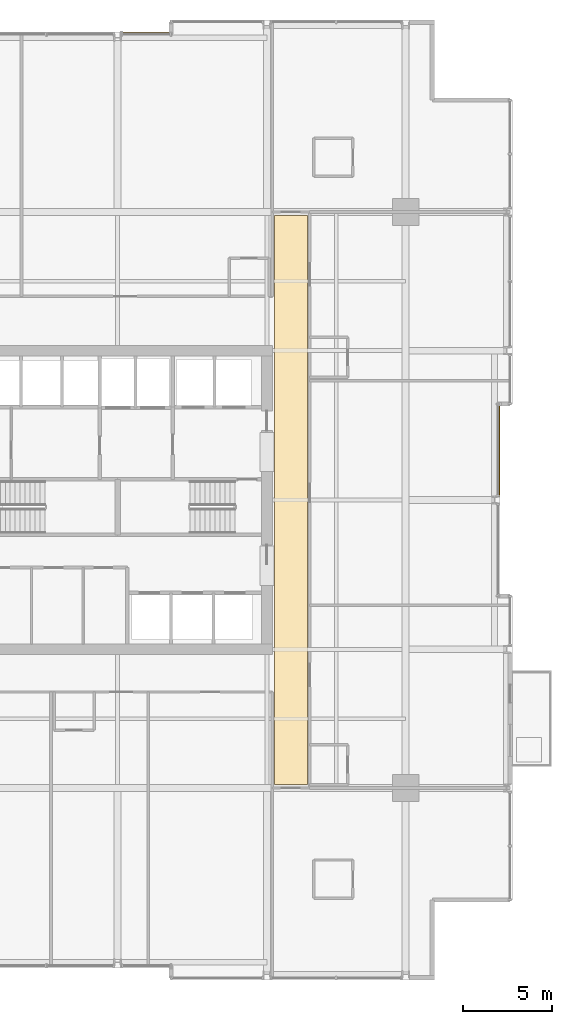
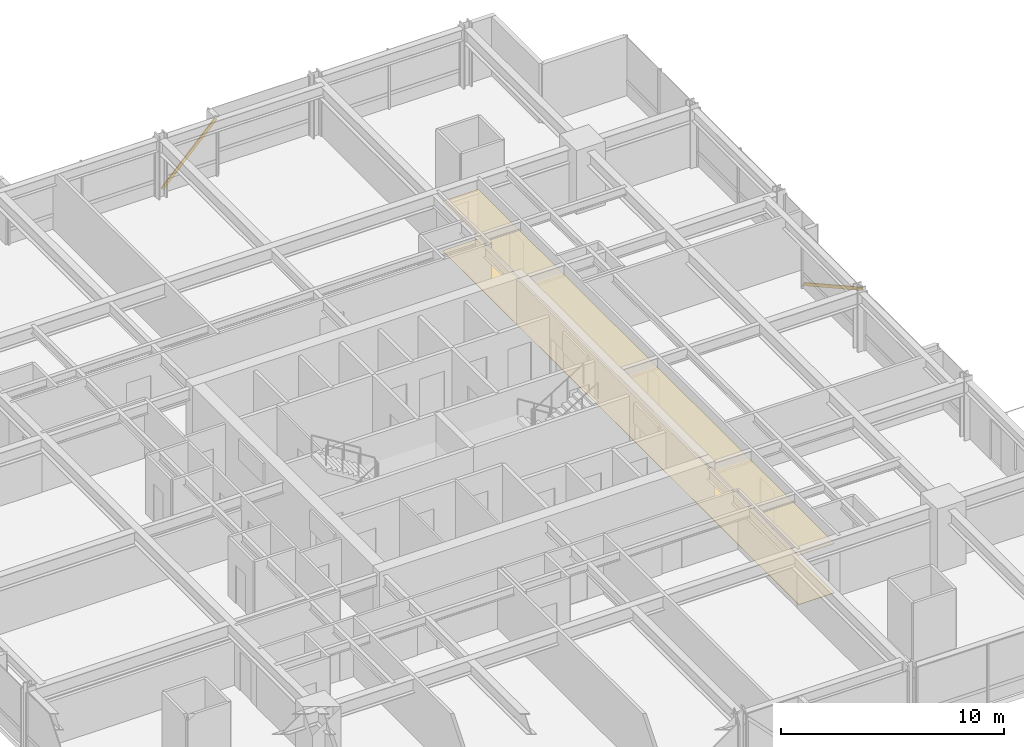
# One storey, part 34 of 34: 2 coverings, 2 shading devices.
"""IFC4 building model written with IfcOpenShell, lengths in metres."""

import ifcopenshell
import ifcopenshell.guid

model = None  # the IFC model being written
_history = None  # IfcOwnerHistory: only IFC2X3 demands one
_inside = {}  # id of a spatial element -> (the spatial element, [elements in it])
_under = {}  # id of a project, library or spatial element -> (it, [spatial elements below it])
_declared = {}  # id of a project -> (the project, [libraries it declares])
_typed = {}  # id of a type object -> (the type object, [elements of that type])
_made_of = {}  # id of a material, layer set ... -> (it, [elements and type objects made of it])


def new_model(schema):
    """Start an empty IFC model of exactly this schema.

    Asked for "IFC4X3", IfcOpenShell would pick the latest addendum, in which some entities
    have other attributes; the version numbers below select the first issue.
    IFC2X3 requires an IfcOwnerHistory on every rooted entity: one is made here for all.
    """
    global model, _history
    if schema == "IFC4X3":
        model = ifcopenshell.file(schema_version=(4, 3, 0, 0))
    else:
        model = ifcopenshell.file(schema=schema)
    _inside.clear()
    _under.clear()
    _declared.clear()
    _typed.clear()
    _made_of.clear()
    _history = None
    if model.schema == "IFC2X3":
        org = make("IfcOrganization", Name="unknown")
        user = make(
            "IfcPersonAndOrganization",
            ThePerson=make("IfcPerson", FamilyName="unknown"),
            TheOrganization=org,
        )
        app = make(
            "IfcApplication",
            ApplicationDeveloper=org,
            Version="unknown",
            ApplicationFullName="unknown",
            ApplicationIdentifier="unknown",
        )
        _history = make(
            "IfcOwnerHistory",
            OwningUser=user,
            OwningApplication=app,
            ChangeAction="ADDED",
            CreationDate=0,
        )
    return model


def make(cls, **values):
    """One entity of the class cls with the attributes given. An attribute that is None is left unset."""
    return model.create_entity(
        cls, **{name: value for name, value in values.items() if value is not None}
    )


def rooted(cls, **values):
    """An entity with a GlobalId (a new one), such as an element, a storey or a relation."""
    return make(cls, GlobalId=ifcopenshell.guid.new(), OwnerHistory=_history, **values)


def si_unit(unit_type, name, prefix=None):
    """IfcSIUnit, for example si_unit("LENGTHUNIT", "METRE", prefix="MILLI")."""
    return make("IfcSIUnit", UnitType=unit_type, Prefix=prefix, Name=name)


def assignment(units):
    """IfcUnitAssignment: the units of a project."""
    return None if units is None else make("IfcUnitAssignment", Units=units)


def point(xyz):
    """IfcCartesianPoint."""
    return None if xyz is None else make("IfcCartesianPoint", Coordinates=xyz)


def direction(xyz):
    """IfcDirection."""
    return None if xyz is None else make("IfcDirection", DirectionRatios=xyz)


def frame(location, z_axis=None, x_axis=None):
    """IfcAxis2Placement3D, a coordinate frame: its origin and axes. An axis left out is left unset."""
    return make(
        "IfcAxis2Placement3D",
        Location=point(location),
        Axis=direction(z_axis),
        RefDirection=direction(x_axis),
    )


def frame_2d(location, x_axis=None):
    """IfcAxis2Placement2D, a coordinate frame in the plane: its origin and x axis."""
    return make(
        "IfcAxis2Placement2D", Location=point(location), RefDirection=direction(x_axis)
    )


def origin():
    """The frame at (0, 0, 0) with its axes left unset."""
    return frame((0.0, 0.0, 0.0))


def origin_2d():
    """The frame at (0, 0) in the plane with its x axis left unset."""
    return frame_2d((0.0, 0.0))


def place(relative_to, where):
    """IfcLocalPlacement: puts the frame where relative to a parent placement (None: the world)."""
    return make(
        "IfcLocalPlacement", PlacementRelTo=relative_to, RelativePlacement=where
    )


def context(
    kind, dimensions, precision=None, world=None, true_north=None, identifier=None
):
    """IfcGeometricRepresentationContext, for example the 3D "Model" context."""
    return make(
        "IfcGeometricRepresentationContext",
        ContextIdentifier=identifier,
        ContextType=kind,
        CoordinateSpaceDimension=dimensions,
        Precision=precision,
        WorldCoordinateSystem=world,
        TrueNorth=true_north,
    )


def subcontext(parent, identifier, kind, view, scale=None):
    """IfcGeometricRepresentationSubContext, for example "Body" below "Model"."""
    return make(
        "IfcGeometricRepresentationSubContext",
        ContextIdentifier=identifier,
        ContextType=kind,
        ParentContext=parent,
        TargetScale=scale,
        TargetView=view,
    )


def project(units=None, contexts=None):
    """IfcProject with its units and contexts."""
    return rooted(
        "IfcProject",
        Name="project",
        RepresentationContexts=contexts,
        UnitsInContext=assignment(units),
    )


def spatial(cls, under=None, at=None, **own):
    """A site, building, storey or space (cls), placed at a placement, below another one or the project."""
    s = rooted(cls, ObjectPlacement=at, **own)
    if under is not None:
        _under.setdefault(under.id(), (under, []))[1].append(s)
    return s


def polyline(points):
    """IfcPolyline through the points."""
    return make("IfcPolyline", Points=[point(p) for p in points])


def profile(cls, at=None, kind="AREA", **sizes):
    """A parametric profile (cls). Its sizes go by their IFC names, for example OverallWidth=200.0."""
    return make(cls, ProfileType=kind, Position=at, **sizes)


def hollow_rectangle(**sizes):
    """IfcRectangleHollowProfileDef."""
    return profile("IfcRectangleHollowProfileDef", **sizes)


def outline(outer, holes=None, kind="AREA"):
    """IfcArbitraryClosedProfileDef: a profile drawn as a closed curve; with holes, ...WithVoids."""
    if holes is None:
        return make("IfcArbitraryClosedProfileDef", ProfileType=kind, OuterCurve=outer)
    return make(
        "IfcArbitraryProfileDefWithVoids",
        ProfileType=kind,
        OuterCurve=outer,
        InnerCurves=holes,
    )


def extrude(swept, where, along, depth):
    """IfcExtrudedAreaSolid: the profile swept, set in the frame where, extruded along a direction by depth."""
    return make(
        "IfcExtrudedAreaSolid",
        SweptArea=swept,
        Position=where,
        ExtrudedDirection=direction(along),
        Depth=depth,
    )


def shape(context_of_items, identifier, shape_type, items):
    """IfcShapeRepresentation: the items that make up one representation, for example the "Body"."""
    return make(
        "IfcShapeRepresentation",
        ContextOfItems=context_of_items,
        RepresentationIdentifier=identifier,
        RepresentationType=shape_type,
        Items=items,
    )


def material(Name=None, Category=None):
    """IfcMaterial."""
    return make("IfcMaterial", Name=Name, Category=Category)


def layer(
    of_material, thickness, ventilated=None, Name=None, Category=None, Priority=None
):
    """IfcMaterialLayer: one layer of a wall or slab, of a material (None: an air gap)."""
    return make(
        "IfcMaterialLayer",
        Material=of_material,
        LayerThickness=thickness,
        IsVentilated=ventilated,
        Name=Name,
        Category=Category,
        Priority=Priority,
    )


def layer_set(layers, Name=None):
    """IfcMaterialLayerSet."""
    return make("IfcMaterialLayerSet", MaterialLayers=layers, LayerSetName=Name)


def material_profile(
    of_material, cross_section, Name=None, Category=None, Priority=None
):
    """IfcMaterialProfile: a cross section and its material."""
    return make(
        "IfcMaterialProfile",
        Name=Name,
        Material=of_material,
        Profile=cross_section,
        Priority=Priority,
        Category=Category,
    )


def profile_set(profiles, Name=None, composite=None):
    """IfcMaterialProfileSet."""
    return make(
        "IfcMaterialProfileSet",
        Name=Name,
        MaterialProfiles=profiles,
        CompositeProfile=composite,
    )


def made_of(thing, what):
    """Note that an element or type object is made of a material, layer set ...; save() writes the relation."""
    if what is not None:
        _made_of.setdefault(what.id(), (what, []))[1].append(thing)
    return thing


def type_object(cls, material=None, **own):
    """A type object (cls), such as IfcWallType, which elements share."""
    return made_of(rooted(cls, **own), material)


def element(
    cls,
    number,
    at=None,
    inside=None,
    cuts=None,
    type_object=None,
    material=None,
    context=None,
    identifier="Body",
    shape_type=None,
    held_by="IfcProductDefinitionShape",
    body=None,
    shapes=None,
    **own,
):
    """One element of the class cls, such as IfcWall. Its Tag is "e" and its number.

    at: its placement. inside: the storey or other place that contains it. cuts: it is an
    opening in that element (IfcRelVoidsElement). A single representation is given by context,
    identifier, shape_type and body (its items); several are given by shapes. held_by: the class
    of the entity that holds the representations. save() writes the other relations.
    """
    e = rooted(cls, Tag="e%d" % number, ObjectPlacement=at, **own)
    if body is not None:
        shapes = [shape(context, identifier, shape_type, body)]
    if shapes is not None:
        e.Representation = make(held_by, Representations=shapes)
    if inside is not None:
        _inside.setdefault(inside.id(), (inside, []))[1].append(e)
    if cuts is not None:
        rooted(
            "IfcRelVoidsElement", RelatingBuildingElement=cuts, RelatedOpeningElement=e
        )
    if type_object is not None:
        _typed.setdefault(type_object.id(), (type_object, []))[1].append(e)
    return made_of(e, material)


def aggregate(whole, parts):
    """IfcRelAggregates: a whole, such as a stair, and the parts it consists of."""
    return rooted("IfcRelAggregates", RelatingObject=whole, RelatedObjects=parts)


def save(model, path):
    """Write the relations noted so far, then the file.

    IfcRelAggregates (storeys below a building ...), IfcRelContainedInSpatialStructure (elements
    in a storey), IfcRelDefinesByType, IfcRelAssociatesMaterial and IfcRelDeclares: one each for
    every whole, place, type object, material and project.
    """
    for whole, parts in _under.values():
        aggregate(whole, parts)
    for where, things in _inside.values():
        rooted(
            "IfcRelContainedInSpatialStructure",
            RelatedElements=things,
            RelatingStructure=where,
        )
    for kind, things in _typed.values():
        rooted("IfcRelDefinesByType", RelatedObjects=things, RelatingType=kind)
    for what, things in _made_of.values():
        rooted("IfcRelAssociatesMaterial", RelatedObjects=things, RelatingMaterial=what)
    for by, libraries in _declared.values():
        rooted("IfcRelDeclares", RelatingContext=by, RelatedDefinitions=libraries)
    model.write(path)


model = new_model("IFC4")

# Units and contexts
model_context = context("Model", 3, precision=1e-05, world=origin(), true_north=direction((0.0, 1.0)))
body_context = subcontext(model_context, "Body", "Model", "MODEL_VIEW")
ifc_project = project(units=[si_unit("LENGTHUNIT", "METRE"), si_unit("AREAUNIT", "SQUARE_METRE"), si_unit("VOLUMEUNIT", "CUBIC_METRE"), si_unit("PLANEANGLEUNIT", "RADIAN"), si_unit("MASSUNIT", "GRAM", prefix="KILO")], contexts=[model_context])

# Site, building, storey
site_placement = place(None, origin())
site = spatial("IfcSite", under=ifc_project, at=site_placement, CompositionType="ELEMENT")
building_placement = place(site_placement, origin())
building = spatial("IfcBuilding", under=site, at=building_placement, Name="Drelvath Grand Hotel", CompositionType="ELEMENT")
storey_placement = place(building_placement, frame((0.0, 0.0, 116.300048828125)))
storey = spatial("IfcBuildingStorey", under=building, at=storey_placement, Name="L29", CompositionType="ELEMENT", Elevation=116.300048828125)

# Shading devices
ifc_material_1 = material(Name="Champagne Bronze Anodised Aluminium", Category="aluminium")
ifc_material_profile = material_profile(ifc_material_1, hollow_rectangle(XDim=0.06494140625, YDim=0.159912109375, WallThickness=0.00390625, at=origin_2d()), Name="HSS160X65X4")
ifc_profile_set = profile_set([ifc_material_profile], Name="Champagne Bronze Anodised Aluminium")
shading_device_type = type_object("IfcShadingDeviceType", Name="Diagonal Solar Fin Champagne Anodised HSS160X65X4", PredefinedType="USERDEFINED", material=ifc_profile_set)
shading_device_1_placement = place(storey_placement, frame((21.47998046875, 32.39990234375, 0.179931640625), z_axis=(0.0, -0.8740056863, 0.4859156926), x_axis=(1.0, 0.0, 0.0)))
element("IfcShadingDevice", 1, at=shading_device_1_placement, inside=storey, type_object=shading_device_type, Name="L29 Diagonal Anodised Fin CW03-L29-EM2", ObjectType="FIN", PredefinedType="USERDEFINED", context=body_context, shape_type="SweptSolid", body=[
    extrude(hollow_rectangle(XDim=0.06494140625, YDim=0.159912109375, WallThickness=0.00390625, at=origin_2d()), origin(), (0.0, 0.0, 1.0), 5.92724609375),
])
shading_device_2_placement = place(storey_placement, frame((0.219482421875, 53.280029296875, 0.179931640625), z_axis=(0.694556420652, 0.0, 0.719438238163), x_axis=(0.0, 1.0, 0.0)))
element("IfcShadingDevice", 2, at=shading_device_2_placement, inside=storey, type_object=shading_device_type, Name="L29 Diagonal Anodised Fin CW03-L29-NM2", ObjectType="FIN", PredefinedType="USERDEFINED", context=body_context, shape_type="SweptSolid", body=[
    extrude(hollow_rectangle(XDim=0.06494140625, YDim=0.159912109375, WallThickness=0.00390625, at=origin_2d()), origin(), (0.0, 0.0, 1.0), 4.00341796875),
])

# Coverings
ifc_material_2 = material(Name="Woven Wool Broadloom Carpet")
ifc_layer_1 = layer(ifc_material_2, 0.01806640625)
ifc_layer_set_1 = layer_set([ifc_layer_1], Name="Woven Wool Broadloom Carpet")
covering_type_1 = type_object("IfcCoveringType", Name="Hospitality Broadloom Carpet 18", PredefinedType="FLOORING", material=ifc_layer_set_1)
covering_1_placement = place(storey_placement, origin())
element("IfcCovering", 3, at=covering_1_placement, inside=storey, type_object=covering_type_1, Name="L29 East Spine Carpet", PredefinedType="FLOORING", context=body_context, shape_type="SweptSolid", body=[
    extrude(outline(polyline([(10.679931640625, 11.0), (10.679931640625, 43.0), (8.820068359375, 43.0), (8.820068359375, 11.0), (10.679931640625, 11.0)])), origin(), (0.0, 0.0, 1.0), 0.01806640625),
])
ifc_material_3 = material(Name="Anodised Aluminium Alloy", Category="aluminium")
ifc_layer_2 = layer(ifc_material_3, 0.0400390625)
ifc_layer_set_2 = layer_set([ifc_layer_2], Name="Anodised Aluminium Alloy")
covering_type_2 = type_object("IfcCoveringType", Name="Perforated Metal Corridor Ceiling 40", PredefinedType="CEILING", material=ifc_layer_set_2)
covering_2_placement = place(storey_placement, frame((0.0, 0.0, 2.68994140625)))
element("IfcCovering", 4, at=covering_2_placement, inside=storey, type_object=covering_type_2, Name="L29 East Spine Ceiling", PredefinedType="CEILING", context=body_context, shape_type="SweptSolid", body=[
    extrude(outline(polyline([(10.679931640625, 11.0), (10.679931640625, 43.0), (8.820068359375, 43.0), (8.820068359375, 11.0), (10.679931640625, 11.0)])), origin(), (0.0, 0.0, 1.0), 0.0400390625),
])

save(model, "model.ifc")
